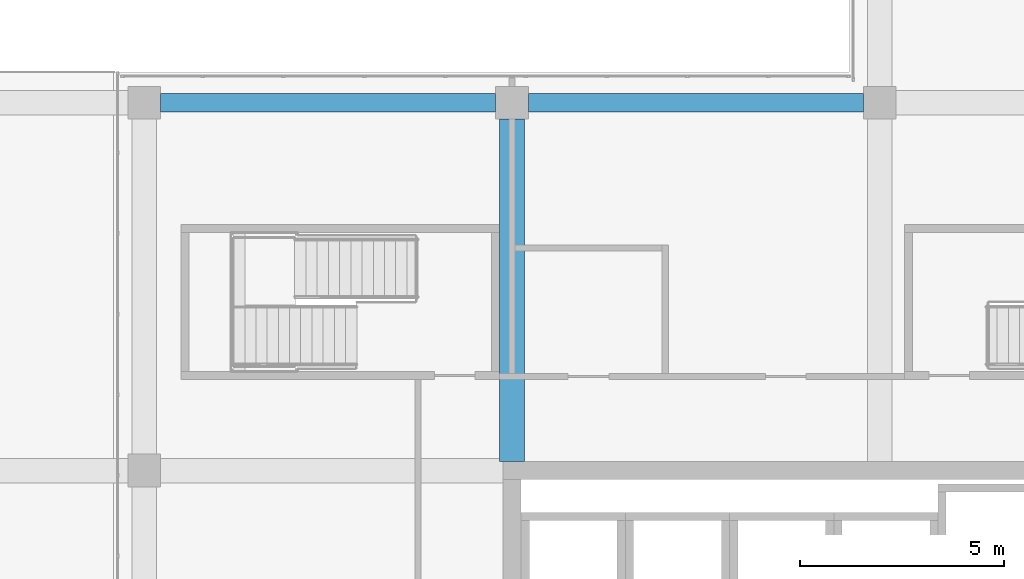
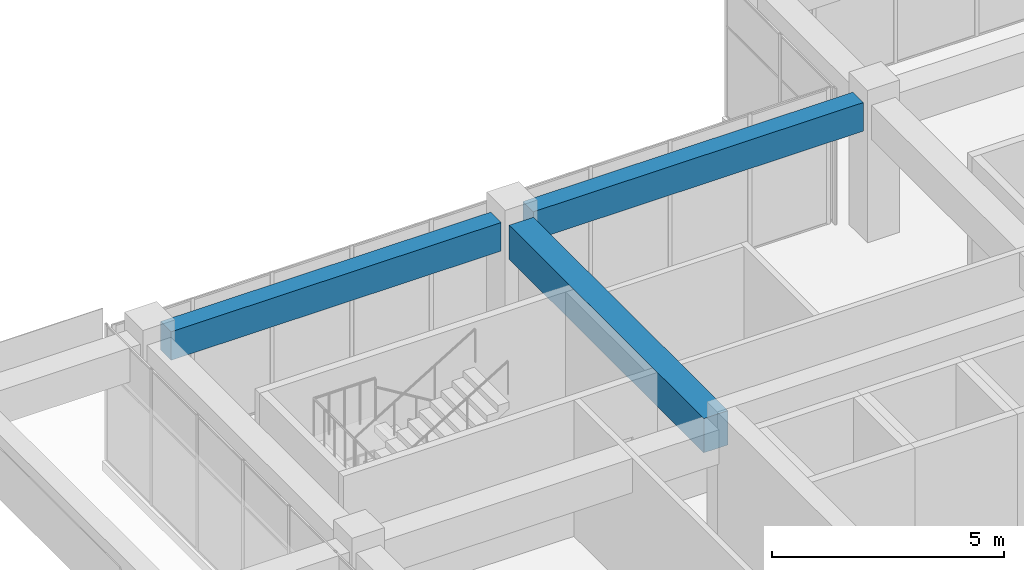
# One storey, part 32 of 52: 3 beams.
"""IFC4 building model written with IfcOpenShell, lengths in metres."""

from ifc_helpers import new_model, si_unit, direction, frame, origin, origin_2d, place, context, subcontext, project, spatial, rectangle, extrude, material, material_profile, profile_set, type_object, element, save


model = new_model("IFC4")

# Units and contexts
model_context = context("Model", 3, precision=1e-05, world=origin(), true_north=direction((0.0, 1.0)))
body_context = subcontext(model_context, "Body", "Model", "MODEL_VIEW")
ifc_project = project(units=[si_unit("LENGTHUNIT", "METRE"), si_unit("AREAUNIT", "SQUARE_METRE"), si_unit("VOLUMEUNIT", "CUBIC_METRE"), si_unit("PLANEANGLEUNIT", "RADIAN"), si_unit("MASSUNIT", "GRAM", prefix="KILO")], contexts=[model_context])

# Site, building, storey
site_placement = place(None, origin())
site = spatial("IfcSite", under=ifc_project, at=site_placement, CompositionType="ELEMENT")
building_placement = place(site_placement, origin())
building = spatial("IfcBuilding", under=site, at=building_placement, Name="Tuart Plaza Theatre", CompositionType="ELEMENT")
storey_placement = place(building_placement, frame((0.0, 0.0, 25.5)))
storey = spatial("IfcBuildingStorey", under=building, at=storey_placement, Name="L06", CompositionType="ELEMENT", Elevation=25.5)

# Beams
ifc_material_1 = material(Name="Concrete N40 (40 MPa)", Category="concrete")
ifc_material_profile_1 = material_profile(ifc_material_1, rectangle(XDim=0.449951171875, YDim=0.75, at=origin_2d()), Name="BEAM 450x750 Concrete N40 (40 MPa)")
ifc_profile_set_1 = profile_set([ifc_material_profile_1], Name="Concrete N40 (40 MPa)")
beam_type_1 = type_object("IfcBeamType", Name="BEAM 450x750 Concrete N40 (40 MPa)", PredefinedType="BEAM", material=ifc_profile_set_1)
for number, where, z_axis, x_axis, name in (
    (1, (114.39990234375, 92.0, 3.205078125), (1.0, 0.0, 0.0), (0.0, 1.0, 0.0), "RB215"),
    (2, (123.39990234375, 92.0, 3.205078125), (1.0, 0.0, 0.0), (0.0, 1.0, 0.0), "RB219"),
):
    element("IfcBeam", number, at=place(storey_placement, frame(where, z_axis=z_axis, x_axis=x_axis)), inside=storey, type_object=beam_type_1, Name=name, PredefinedType="BEAM", context=body_context, shape_type="SweptSolid", body=[
        extrude(rectangle(XDim=0.449951171875, YDim=0.75, at=origin_2d()), origin(), (0.0, 0.0, 1.0), 8.2001953125),
    ])
ifc_material_2 = material(Name="Concrete N40 (40 MPa)", Category="concrete")
ifc_material_profile_2 = material_profile(ifc_material_2, rectangle(XDim=0.60009765625, YDim=0.89990234375, at=origin_2d()), Name="BEAM 600x900 Concrete N40 (40 MPa)")
ifc_profile_set_2 = profile_set([ifc_material_profile_2], Name="Concrete N40 (40 MPa)")
beam_type_2 = type_object("IfcBeamType", Name="BEAM 600x900 Concrete N40 (40 MPa)", PredefinedType="BEAM", material=ifc_profile_set_2)
beam_placement = place(storey_placement, frame((123.0, 83.22509765625, 3.1298828125), z_axis=(0.0, 1.0, 0.0), x_axis=(-1.0, 0.0, 0.0)))
element("IfcBeam", 3, at=beam_placement, inside=storey, type_object=beam_type_2, Name="RB218", PredefinedType="BEAM", context=body_context, shape_type="SweptSolid", body=[
    extrude(rectangle(XDim=0.60009765625, YDim=0.89990234375, at=origin_2d()), origin(), (0.0, 0.0, 1.0), 8.375),
])

save(model, "model.ifc")
